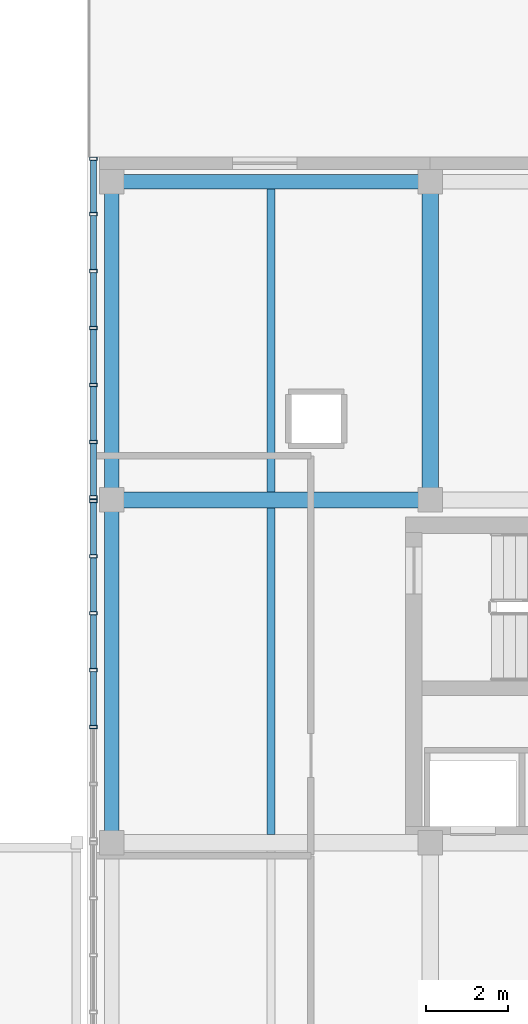
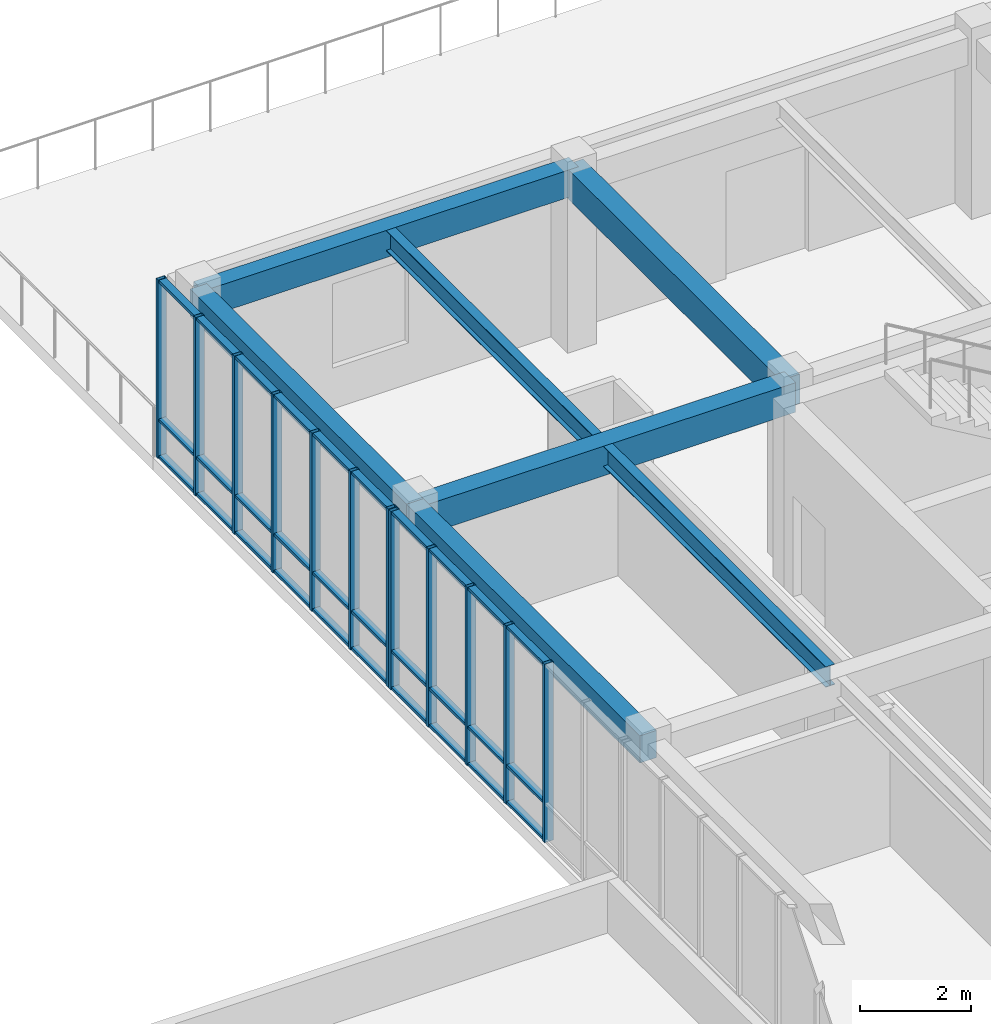
# One storey, part 60 of 123: 42 members, 7 beams, 2 elements without a shape of their own.
"""IFC4 building model written with IfcOpenShell, lengths in metres."""

from ifc_helpers import new_model, si_unit, direction, frame, origin, origin_2d, place, context, subcontext, project, spatial, rectangle, hollow_rectangle, i_section, extrude, material, layer, layer_set, material_profile, profile_set, type_object, element, aggregate, save


model = new_model("IFC4")

# Units and contexts
model_context = context("Model", 3, precision=1e-05, world=origin(), true_north=direction((0.0, 1.0)))
body_context = subcontext(model_context, "Body", "Model", "MODEL_VIEW")
ifc_project = project(units=[si_unit("LENGTHUNIT", "METRE"), si_unit("AREAUNIT", "SQUARE_METRE"), si_unit("VOLUMEUNIT", "CUBIC_METRE"), si_unit("PLANEANGLEUNIT", "RADIAN"), si_unit("MASSUNIT", "GRAM", prefix="KILO")], contexts=[model_context])

# Site, building, storey
site_placement = place(None, origin())
site = spatial("IfcSite", under=ifc_project, at=site_placement, CompositionType="ELEMENT")
building_placement = place(site_placement, origin())
building = spatial("IfcBuilding", under=site, at=building_placement, Name="Zayran Congress Hotel", CompositionType="ELEMENT")
storey_placement = place(building_placement, frame((0.0, 0.0, 15.0)))
storey = spatial("IfcBuildingStorey", under=building, at=storey_placement, Name="L03", CompositionType="ELEMENT", Elevation=15.0)

# Beams
ifc_material_1 = material(Name="Concrete C40/50", Category="concrete")
ifc_material_profile_1 = material_profile(ifc_material_1, rectangle(XDim=0.39990234375, YDim=0.64990234375, at=origin_2d()), Name="RC 400x650")
ifc_profile_set_1 = profile_set([ifc_material_profile_1], Name="Concrete C40/50")
beam_type_1 = type_object("IfcBeamType", Name="TP-BM-03", PredefinedType="BEAM", material=ifc_profile_set_1)
for number, where, z_axis, x_axis, name in (
    (1, (109.800048828125, 92.800048828125, 3.594970703125), (1.0, 0.0, 0.0), (0.0, 1.0, 0.0), "BM-V4-L03-1509"),
    (2, (117.60009765625, 92.800048828125, 3.594970703125), (0.0, 1.0, 0.0), (-1.0, 0.0, 0.0), "BM-V4-L03-1526"),
):
    element("IfcBeam", number, at=place(storey_placement, frame(where, z_axis=z_axis, x_axis=x_axis)), inside=storey, type_object=beam_type_1, Name=name, PredefinedType="BEAM", context=body_context, shape_type="SweptSolid", body=[
        extrude(rectangle(XDim=0.39990234375, YDim=0.64990234375, at=origin_2d()), origin(), (0.0, 0.0, 1.0), 7.800048828125),
    ])
ifc_material_profile_2 = material_profile(ifc_material_1, rectangle(XDim=0.35009765625, YDim=0.60009765625, at=origin_2d()), Name="RC 350x600")
ifc_profile_set_2 = profile_set([ifc_material_profile_2], Name="Concrete C40/50")
beam_type_2 = type_object("IfcBeamType", Name="TP-SP-01", PredefinedType="SPANDREL", material=ifc_profile_set_2)
beam_1_placement = place(storey_placement, frame((109.800048828125, 100.60009765625, 3.6201171875), z_axis=(1.0, 0.0, 0.0), x_axis=(0.0, 1.0, 0.0)))
element("IfcBeam", 3, at=beam_1_placement, inside=storey, type_object=beam_type_2, Name="BM-V4-L03-1512", PredefinedType="SPANDREL", context=body_context, shape_type="SweptSolid", body=[
    extrude(rectangle(XDim=0.35009765625, YDim=0.60009765625, at=origin_2d()), origin(), (0.0, 0.0, 1.0), 7.800048828125),
])
beam_2_placement = place(storey_placement, frame((109.800048828125, 84.39990234375, 3.6201171875), z_axis=(0.0, 1.0, 0.0), x_axis=(-1.0, 0.0, 0.0)))
element("IfcBeam", 4, at=beam_2_placement, inside=storey, type_object=beam_type_2, Name="BM-V4-L03-1520", PredefinedType="SPANDREL", context=body_context, shape_type="SweptSolid", body=[
    extrude(rectangle(XDim=0.35009765625, YDim=0.60009765625, at=origin_2d()), origin(), (0.0, 0.0, 1.0), 8.400146484375),
])
beam_3_placement = place(storey_placement, frame((109.800048828125, 92.800048828125, 3.6201171875), z_axis=(0.0, 1.0, 0.0), x_axis=(-1.0, 0.0, 0.0)))
element("IfcBeam", 5, at=beam_3_placement, inside=storey, type_object=beam_type_2, Name="BM-V4-L03-1521", PredefinedType="SPANDREL", context=body_context, shape_type="SweptSolid", body=[
    extrude(rectangle(XDim=0.35009765625, YDim=0.60009765625, at=origin_2d()), origin(), (0.0, 0.0, 1.0), 7.800048828125),
])
ifc_material_2 = material(Name="Steel S355", Category="steel")
ifc_material_profile_3 = material_profile(ifc_material_2, i_section(OverallWidth=0.18994140625, OverallDepth=0.449951171875, WebThickness=0.009521484375, FlangeThickness=0.0146484375, at=origin_2d()), Name="IPE 450")
ifc_profile_set_3 = profile_set([ifc_material_profile_3], Name="Steel S355")
beam_type_3 = type_object("IfcBeamType", Name="TP-JS-02", PredefinedType="JOIST", material=ifc_profile_set_3)
beam_4_placement = place(storey_placement, frame((113.699951171875, 84.60009765625, 3.695068359375), z_axis=(0.0, 1.0, 0.0), x_axis=(-1.0, 0.0, 0.0)))
element("IfcBeam", 6, at=beam_4_placement, inside=storey, type_object=beam_type_3, Name="JST-V4-L03-1546", PredefinedType="JOIST", context=body_context, shape_type="SweptSolid", body=[
    extrude(i_section(OverallWidth=0.18994140625, OverallDepth=0.449951171875, WebThickness=0.009521484375, FlangeThickness=0.0146484375, at=origin_2d()), origin(), (0.0, 0.0, 1.0), 8.0),
])
beam_5_placement = place(storey_placement, frame((113.699951171875, 93.0, 3.695068359375), z_axis=(0.0, 1.0, 0.0), x_axis=(-1.0, 0.0, 0.0)))
element("IfcBeam", 7, at=beam_5_placement, inside=storey, type_object=beam_type_3, Name="JST-V4-L03-1547", PredefinedType="JOIST", context=body_context, shape_type="SweptSolid", body=[
    extrude(i_section(OverallWidth=0.18994140625, OverallDepth=0.449951171875, WebThickness=0.009521484375, FlangeThickness=0.0146484375, at=origin_2d()), origin(), (0.0, 0.0, 1.0), 7.425048828125),
])

# Curtain wall, members
ifc_material_3 = material(Name="Anodised aluminium and low-E insulated glass", Category="aluminium")
ifc_layer_1 = layer(ifc_material_3, 0.179931640625)
ifc_layer_set_1 = layer_set([ifc_layer_1], Name="Anodised aluminium and low-E insulated glass")
curtain_wall_type_1 = type_object("IfcCurtainWallType", Name="CW-V4W-L03-CW-53-8368-3920", PredefinedType="USERDEFINED", material=ifc_layer_set_1)
curtain_wall_1_placement = place(storey_placement, origin())
curtain_wall_1 = element("IfcCurtainWall", 8, at=curtain_wall_1_placement, inside=storey, type_object=curtain_wall_type_1, Name="CW-V4W-L03-5", ObjectType="CURTAIN WALL", PredefinedType="USERDEFINED")
ifc_material_4 = material(Name="Anodised aluminium framing", Category="aluminium")
ifc_material_profile_4 = material_profile(ifc_material_4, hollow_rectangle(XDim=0.080078125, YDim=0.179931640625, WallThickness=0.0048828125, at=origin_2d()), Name="RHS 180x80x5")
ifc_profile_set_4 = profile_set([ifc_material_profile_4], Name="Anodised aluminium framing")
member_type_1 = type_object("IfcMemberType", Name="TP-CWM-01", PredefinedType="MULLION", material=ifc_profile_set_4)
member_1_placement = place(storey_placement, frame((109.35009765625, 92.77587890625, 0.0), z_axis=(0.0, 0.0, 1.0), x_axis=(0.0, 1.0, 0.0)))
member_1 = element("IfcMember", 9, at=member_1_placement, type_object=member_type_1, Name="CW-V4W-L03-5-M00", PredefinedType="MULLION", context=body_context, shape_type="SweptSolid", body=[
    extrude(hollow_rectangle(XDim=0.080078125, YDim=0.179931640625, WallThickness=0.0048828125, at=origin_2d()), origin(), (0.0, 0.0, 1.0), 3.919921875),
])
member_2_placement = place(storey_placement, frame((109.35009765625, 91.42138671875, 0.0), z_axis=(0.0, 0.0, 1.0), x_axis=(0.0, 1.0, 0.0)))
member_2 = element("IfcMember", 10, at=member_2_placement, type_object=member_type_1, Name="CW-V4W-L03-5-M01", PredefinedType="MULLION", context=body_context, shape_type="SweptSolid", body=[
    extrude(hollow_rectangle(XDim=0.080078125, YDim=0.179931640625, WallThickness=0.0048828125, at=origin_2d()), origin(), (0.0, 0.0, 1.0), 3.919921875),
])
member_3_placement = place(storey_placement, frame((109.35009765625, 90.026611328125, 0.0), z_axis=(0.0, 0.0, 1.0), x_axis=(0.0, 1.0, 0.0)))
member_3 = element("IfcMember", 11, at=member_3_placement, type_object=member_type_1, Name="CW-V4W-L03-5-M02", PredefinedType="MULLION", context=body_context, shape_type="SweptSolid", body=[
    extrude(hollow_rectangle(XDim=0.080078125, YDim=0.179931640625, WallThickness=0.0048828125, at=origin_2d()), origin(), (0.0, 0.0, 1.0), 3.919921875),
])
member_4_placement = place(storey_placement, frame((109.35009765625, 88.632080078125, 0.0), z_axis=(0.0, 0.0, 1.0), x_axis=(0.0, 1.0, 0.0)))
member_4 = element("IfcMember", 12, at=member_4_placement, type_object=member_type_1, Name="CW-V4W-L03-5-M03", PredefinedType="MULLION", context=body_context, shape_type="SweptSolid", body=[
    extrude(hollow_rectangle(XDim=0.080078125, YDim=0.179931640625, WallThickness=0.0048828125, at=origin_2d()), origin(), (0.0, 0.0, 1.0), 3.919921875),
])
member_5_placement = place(storey_placement, frame((109.35009765625, 87.2373046875, 0.0), z_axis=(0.0, 0.0, 1.0), x_axis=(0.0, 1.0, 0.0)))
member_5 = element("IfcMember", 13, at=member_5_placement, type_object=member_type_1, Name="CW-V4W-L03-5-M04", PredefinedType="MULLION", context=body_context, shape_type="SweptSolid", body=[
    extrude(hollow_rectangle(XDim=0.080078125, YDim=0.179931640625, WallThickness=0.0048828125, at=origin_2d()), origin(), (0.0, 0.0, 1.0), 3.919921875),
])

ifc_layer_2 = layer(ifc_material_3, 0.179931640625)
ifc_layer_set_2 = layer_set([ifc_layer_2], Name="Anodised aluminium and low-E insulated glass")
curtain_wall_type_2 = type_object("IfcCurtainWallType", Name="CW-V4W-L03-CW-51-8374-3920", PredefinedType="USERDEFINED", material=ifc_layer_set_2)
curtain_wall_2_placement = place(storey_placement, origin())
curtain_wall_2 = element("IfcCurtainWall", 14, at=curtain_wall_2_placement, inside=storey, type_object=curtain_wall_type_2, Name="CW-V4W-L03-6", ObjectType="CURTAIN WALL", PredefinedType="USERDEFINED")
member_6_placement = place(storey_placement, frame((109.35009765625, 101.159912109375, 0.0), z_axis=(0.0, 0.0, 1.0), x_axis=(0.0, 1.0, 0.0)))
member_6 = element("IfcMember", 15, at=member_6_placement, type_object=member_type_1, Name="CW-V4W-L03-6-M00", PredefinedType="MULLION", context=body_context, shape_type="SweptSolid", body=[
    extrude(hollow_rectangle(XDim=0.080078125, YDim=0.179931640625, WallThickness=0.0048828125, at=origin_2d()), origin(), (0.0, 0.0, 1.0), 3.919921875),
])
member_7_placement = place(storey_placement, frame((109.35009765625, 99.80419921875, 0.0), z_axis=(0.0, 0.0, 1.0), x_axis=(0.0, 1.0, 0.0)))
member_7 = element("IfcMember", 16, at=member_7_placement, type_object=member_type_1, Name="CW-V4W-L03-6-M01", PredefinedType="MULLION", context=body_context, shape_type="SweptSolid", body=[
    extrude(hollow_rectangle(XDim=0.080078125, YDim=0.179931640625, WallThickness=0.0048828125, at=origin_2d()), origin(), (0.0, 0.0, 1.0), 3.919921875),
])
member_8_placement = place(storey_placement, frame((109.35009765625, 98.40869140625, 0.0), z_axis=(0.0, 0.0, 1.0), x_axis=(0.0, 1.0, 0.0)))
member_8 = element("IfcMember", 17, at=member_8_placement, type_object=member_type_1, Name="CW-V4W-L03-6-M02", PredefinedType="MULLION", context=body_context, shape_type="SweptSolid", body=[
    extrude(hollow_rectangle(XDim=0.080078125, YDim=0.179931640625, WallThickness=0.0048828125, at=origin_2d()), origin(), (0.0, 0.0, 1.0), 3.919921875),
])
member_9_placement = place(storey_placement, frame((109.35009765625, 97.012939453125, 0.0), z_axis=(0.0, 0.0, 1.0), x_axis=(0.0, 1.0, 0.0)))
member_9 = element("IfcMember", 18, at=member_9_placement, type_object=member_type_1, Name="CW-V4W-L03-6-M03", PredefinedType="MULLION", context=body_context, shape_type="SweptSolid", body=[
    extrude(hollow_rectangle(XDim=0.080078125, YDim=0.179931640625, WallThickness=0.0048828125, at=origin_2d()), origin(), (0.0, 0.0, 1.0), 3.919921875),
])
member_10_placement = place(storey_placement, frame((109.35009765625, 95.6171875, 0.0), z_axis=(0.0, 0.0, 1.0), x_axis=(0.0, 1.0, 0.0)))
member_10 = element("IfcMember", 19, at=member_10_placement, type_object=member_type_1, Name="CW-V4W-L03-6-M04", PredefinedType="MULLION", context=body_context, shape_type="SweptSolid", body=[
    extrude(hollow_rectangle(XDim=0.080078125, YDim=0.179931640625, WallThickness=0.0048828125, at=origin_2d()), origin(), (0.0, 0.0, 1.0), 3.919921875),
])
member_11_placement = place(storey_placement, frame((109.35009765625, 94.2216796875, 0.0), z_axis=(0.0, 0.0, 1.0), x_axis=(0.0, 1.0, 0.0)))
member_11 = element("IfcMember", 20, at=member_11_placement, type_object=member_type_1, Name="CW-V4W-L03-6-M05", PredefinedType="MULLION", context=body_context, shape_type="SweptSolid", body=[
    extrude(hollow_rectangle(XDim=0.080078125, YDim=0.179931640625, WallThickness=0.0048828125, at=origin_2d()), origin(), (0.0, 0.0, 1.0), 3.919921875),
])
member_12_placement = place(storey_placement, frame((109.35009765625, 92.865966796875, 0.0), z_axis=(0.0, 0.0, 1.0), x_axis=(0.0, 1.0, 0.0)))
member_12 = element("IfcMember", 21, at=member_12_placement, type_object=member_type_1, Name="CW-V4W-L03-6-M06", PredefinedType="MULLION", context=body_context, shape_type="SweptSolid", body=[
    extrude(hollow_rectangle(XDim=0.080078125, YDim=0.179931640625, WallThickness=0.0048828125, at=origin_2d()), origin(), (0.0, 0.0, 1.0), 3.919921875),
])

# Member
ifc_material_profile_5 = material_profile(ifc_material_4, hollow_rectangle(XDim=0.06005859375, YDim=0.14990234375, WallThickness=0.00390625, at=origin_2d()), Name="RHS 150x60x4")
ifc_profile_set_5 = profile_set([ifc_material_profile_5], Name="Anodised aluminium framing")
member_type_2 = type_object("IfcMemberType", Name="TP-CWT-01", PredefinedType="USERDEFINED", material=ifc_profile_set_5)
member_13_placement = place(storey_placement, frame((109.35009765625, 92.736083984375, 0.030029296875), z_axis=(0.0, -1.0, 0.0), x_axis=(0.0, 0.0, 1.0)))
member_13 = element("IfcMember", 22, at=member_13_placement, type_object=member_type_2, Name="CW-V4W-L03-5-T00-0", ObjectType="TRANSOM", PredefinedType="USERDEFINED", context=body_context, shape_type="SweptSolid", body=[
    extrude(hollow_rectangle(XDim=0.06005859375, YDim=0.14990234375, WallThickness=0.00390625, at=origin_2d()), origin(), (0.0, 0.0, 1.0), 1.27490234375),
])

member_14_placement = place(storey_placement, frame((109.35009765625, 92.736083984375, 0.840087890625), z_axis=(0.0, -1.0, 0.0), x_axis=(0.0, 0.0, 1.0)))
member_14 = element("IfcMember", 23, at=member_14_placement, type_object=member_type_2, Name="CW-V4W-L03-5-T00-1", ObjectType="TRANSOM", PredefinedType="USERDEFINED", context=body_context, shape_type="SweptSolid", body=[
    extrude(hollow_rectangle(XDim=0.06005859375, YDim=0.14990234375, WallThickness=0.00390625, at=origin_2d()), origin(), (0.0, 0.0, 1.0), 1.27490234375),
])

member_15_placement = place(storey_placement, frame((109.35009765625, 92.736083984375, 3.889892578125), z_axis=(0.0, -1.0, 0.0), x_axis=(0.0, 0.0, 1.0)))
member_15 = element("IfcMember", 24, at=member_15_placement, type_object=member_type_2, Name="CW-V4W-L03-5-T00-2", ObjectType="TRANSOM", PredefinedType="USERDEFINED", context=body_context, shape_type="SweptSolid", body=[
    extrude(hollow_rectangle(XDim=0.06005859375, YDim=0.14990234375, WallThickness=0.00390625, at=origin_2d()), origin(), (0.0, 0.0, 1.0), 1.27490234375),
])

member_16_placement = place(storey_placement, frame((109.35009765625, 91.38134765625, 0.030029296875), z_axis=(0.0, -1.0, 0.0), x_axis=(0.0, 0.0, 1.0)))
member_16 = element("IfcMember", 25, at=member_16_placement, type_object=member_type_2, Name="CW-V4W-L03-5-T01-0", ObjectType="TRANSOM", PredefinedType="USERDEFINED", context=body_context, shape_type="SweptSolid", body=[
    extrude(hollow_rectangle(XDim=0.06005859375, YDim=0.14990234375, WallThickness=0.00390625, at=origin_2d()), origin(), (0.0, 0.0, 1.0), 1.314697265625),
])

member_17_placement = place(storey_placement, frame((109.35009765625, 91.38134765625, 0.840087890625), z_axis=(0.0, -1.0, 0.0), x_axis=(0.0, 0.0, 1.0)))
member_17 = element("IfcMember", 26, at=member_17_placement, type_object=member_type_2, Name="CW-V4W-L03-5-T01-1", ObjectType="TRANSOM", PredefinedType="USERDEFINED", context=body_context, shape_type="SweptSolid", body=[
    extrude(hollow_rectangle(XDim=0.06005859375, YDim=0.14990234375, WallThickness=0.00390625, at=origin_2d()), origin(), (0.0, 0.0, 1.0), 1.314697265625),
])

member_18_placement = place(storey_placement, frame((109.35009765625, 91.38134765625, 3.889892578125), z_axis=(0.0, -1.0, 0.0), x_axis=(0.0, 0.0, 1.0)))
member_18 = element("IfcMember", 27, at=member_18_placement, type_object=member_type_2, Name="CW-V4W-L03-5-T01-2", ObjectType="TRANSOM", PredefinedType="USERDEFINED", context=body_context, shape_type="SweptSolid", body=[
    extrude(hollow_rectangle(XDim=0.06005859375, YDim=0.14990234375, WallThickness=0.00390625, at=origin_2d()), origin(), (0.0, 0.0, 1.0), 1.314697265625),
])

member_19_placement = place(storey_placement, frame((109.35009765625, 89.98681640625, 0.030029296875), z_axis=(0.0, -1.0, 0.0), x_axis=(0.0, 0.0, 1.0)))
member_19 = element("IfcMember", 28, at=member_19_placement, type_object=member_type_2, Name="CW-V4W-L03-5-T02-0", ObjectType="TRANSOM", PredefinedType="USERDEFINED", context=body_context, shape_type="SweptSolid", body=[
    extrude(hollow_rectangle(XDim=0.06005859375, YDim=0.14990234375, WallThickness=0.00390625, at=origin_2d()), origin(), (0.0, 0.0, 1.0), 1.314697265625),
])

member_20_placement = place(storey_placement, frame((109.35009765625, 89.98681640625, 0.840087890625), z_axis=(0.0, -1.0, 0.0), x_axis=(0.0, 0.0, 1.0)))
member_20 = element("IfcMember", 29, at=member_20_placement, type_object=member_type_2, Name="CW-V4W-L03-5-T02-1", ObjectType="TRANSOM", PredefinedType="USERDEFINED", context=body_context, shape_type="SweptSolid", body=[
    extrude(hollow_rectangle(XDim=0.06005859375, YDim=0.14990234375, WallThickness=0.00390625, at=origin_2d()), origin(), (0.0, 0.0, 1.0), 1.314697265625),
])

member_21_placement = place(storey_placement, frame((109.35009765625, 89.98681640625, 3.889892578125), z_axis=(0.0, -1.0, 0.0), x_axis=(0.0, 0.0, 1.0)))
member_21 = element("IfcMember", 30, at=member_21_placement, type_object=member_type_2, Name="CW-V4W-L03-5-T02-2", ObjectType="TRANSOM", PredefinedType="USERDEFINED", context=body_context, shape_type="SweptSolid", body=[
    extrude(hollow_rectangle(XDim=0.06005859375, YDim=0.14990234375, WallThickness=0.00390625, at=origin_2d()), origin(), (0.0, 0.0, 1.0), 1.314697265625),
])

member_22_placement = place(storey_placement, frame((109.35009765625, 88.592041015625, 0.030029296875), z_axis=(0.0, -1.0, 0.0), x_axis=(0.0, 0.0, 1.0)))
member_22 = element("IfcMember", 31, at=member_22_placement, type_object=member_type_2, Name="CW-V4W-L03-5-T03-0", ObjectType="TRANSOM", PredefinedType="USERDEFINED", context=body_context, shape_type="SweptSolid", body=[
    extrude(hollow_rectangle(XDim=0.06005859375, YDim=0.14990234375, WallThickness=0.00390625, at=origin_2d()), origin(), (0.0, 0.0, 1.0), 1.314697265625),
])

member_23_placement = place(storey_placement, frame((109.35009765625, 88.592041015625, 0.840087890625), z_axis=(0.0, -1.0, 0.0), x_axis=(0.0, 0.0, 1.0)))
member_23 = element("IfcMember", 32, at=member_23_placement, type_object=member_type_2, Name="CW-V4W-L03-5-T03-1", ObjectType="TRANSOM", PredefinedType="USERDEFINED", context=body_context, shape_type="SweptSolid", body=[
    extrude(hollow_rectangle(XDim=0.06005859375, YDim=0.14990234375, WallThickness=0.00390625, at=origin_2d()), origin(), (0.0, 0.0, 1.0), 1.314697265625),
])

member_24_placement = place(storey_placement, frame((109.35009765625, 88.592041015625, 3.889892578125), z_axis=(0.0, -1.0, 0.0), x_axis=(0.0, 0.0, 1.0)))
member_24 = element("IfcMember", 33, at=member_24_placement, type_object=member_type_2, Name="CW-V4W-L03-5-T03-2", ObjectType="TRANSOM", PredefinedType="USERDEFINED", context=body_context, shape_type="SweptSolid", body=[
    extrude(hollow_rectangle(XDim=0.06005859375, YDim=0.14990234375, WallThickness=0.00390625, at=origin_2d()), origin(), (0.0, 0.0, 1.0), 1.314697265625),
])

aggregate(curtain_wall_1, [member_1, member_2, member_3, member_4, member_5, member_13, member_14, member_15, member_16, member_17, member_18, member_19, member_20, member_21, member_22, member_23, member_24])

member_25_placement = place(storey_placement, frame((109.35009765625, 101.1201171875, 0.030029296875), z_axis=(0.0, -1.0, 0.0), x_axis=(0.0, 0.0, 1.0)))
member_25 = element("IfcMember", 34, at=member_25_placement, type_object=member_type_2, Name="CW-V4W-L03-6-T00-0", ObjectType="TRANSOM", PredefinedType="USERDEFINED", context=body_context, shape_type="SweptSolid", body=[
    extrude(hollow_rectangle(XDim=0.06005859375, YDim=0.14990234375, WallThickness=0.00390625, at=origin_2d()), origin(), (0.0, 0.0, 1.0), 1.27587890625),
])

member_26_placement = place(storey_placement, frame((109.35009765625, 101.1201171875, 0.840087890625), z_axis=(0.0, -1.0, 0.0), x_axis=(0.0, 0.0, 1.0)))
member_26 = element("IfcMember", 35, at=member_26_placement, type_object=member_type_2, Name="CW-V4W-L03-6-T00-1", ObjectType="TRANSOM", PredefinedType="USERDEFINED", context=body_context, shape_type="SweptSolid", body=[
    extrude(hollow_rectangle(XDim=0.06005859375, YDim=0.14990234375, WallThickness=0.00390625, at=origin_2d()), origin(), (0.0, 0.0, 1.0), 1.27587890625),
])

member_27_placement = place(storey_placement, frame((109.35009765625, 101.1201171875, 3.889892578125), z_axis=(0.0, -1.0, 0.0), x_axis=(0.0, 0.0, 1.0)))
member_27 = element("IfcMember", 36, at=member_27_placement, type_object=member_type_2, Name="CW-V4W-L03-6-T00-2", ObjectType="TRANSOM", PredefinedType="USERDEFINED", context=body_context, shape_type="SweptSolid", body=[
    extrude(hollow_rectangle(XDim=0.06005859375, YDim=0.14990234375, WallThickness=0.00390625, at=origin_2d()), origin(), (0.0, 0.0, 1.0), 1.27587890625),
])

member_28_placement = place(storey_placement, frame((109.35009765625, 99.764404296875, 0.030029296875), z_axis=(0.0, -1.0, 0.0), x_axis=(0.0, 0.0, 1.0)))
member_28 = element("IfcMember", 37, at=member_28_placement, type_object=member_type_2, Name="CW-V4W-L03-6-T01-0", ObjectType="TRANSOM", PredefinedType="USERDEFINED", context=body_context, shape_type="SweptSolid", body=[
    extrude(hollow_rectangle(XDim=0.06005859375, YDim=0.14990234375, WallThickness=0.00390625, at=origin_2d()), origin(), (0.0, 0.0, 1.0), 1.315673828125),
])

member_29_placement = place(storey_placement, frame((109.35009765625, 99.764404296875, 0.840087890625), z_axis=(0.0, -1.0, 0.0), x_axis=(0.0, 0.0, 1.0)))
member_29 = element("IfcMember", 38, at=member_29_placement, type_object=member_type_2, Name="CW-V4W-L03-6-T01-1", ObjectType="TRANSOM", PredefinedType="USERDEFINED", context=body_context, shape_type="SweptSolid", body=[
    extrude(hollow_rectangle(XDim=0.06005859375, YDim=0.14990234375, WallThickness=0.00390625, at=origin_2d()), origin(), (0.0, 0.0, 1.0), 1.315673828125),
])

member_30_placement = place(storey_placement, frame((109.35009765625, 99.764404296875, 3.889892578125), z_axis=(0.0, -1.0, 0.0), x_axis=(0.0, 0.0, 1.0)))
member_30 = element("IfcMember", 39, at=member_30_placement, type_object=member_type_2, Name="CW-V4W-L03-6-T01-2", ObjectType="TRANSOM", PredefinedType="USERDEFINED", context=body_context, shape_type="SweptSolid", body=[
    extrude(hollow_rectangle(XDim=0.06005859375, YDim=0.14990234375, WallThickness=0.00390625, at=origin_2d()), origin(), (0.0, 0.0, 1.0), 1.315673828125),
])

member_31_placement = place(storey_placement, frame((109.35009765625, 98.36865234375, 0.030029296875), z_axis=(0.0, -1.0, 0.0), x_axis=(0.0, 0.0, 1.0)))
member_31 = element("IfcMember", 40, at=member_31_placement, type_object=member_type_2, Name="CW-V4W-L03-6-T02-0", ObjectType="TRANSOM", PredefinedType="USERDEFINED", context=body_context, shape_type="SweptSolid", body=[
    extrude(hollow_rectangle(XDim=0.06005859375, YDim=0.14990234375, WallThickness=0.00390625, at=origin_2d()), origin(), (0.0, 0.0, 1.0), 1.315673828125),
])

member_32_placement = place(storey_placement, frame((109.35009765625, 98.36865234375, 0.840087890625), z_axis=(0.0, -1.0, 0.0), x_axis=(0.0, 0.0, 1.0)))
member_32 = element("IfcMember", 41, at=member_32_placement, type_object=member_type_2, Name="CW-V4W-L03-6-T02-1", ObjectType="TRANSOM", PredefinedType="USERDEFINED", context=body_context, shape_type="SweptSolid", body=[
    extrude(hollow_rectangle(XDim=0.06005859375, YDim=0.14990234375, WallThickness=0.00390625, at=origin_2d()), origin(), (0.0, 0.0, 1.0), 1.315673828125),
])

member_33_placement = place(storey_placement, frame((109.35009765625, 98.36865234375, 3.889892578125), z_axis=(0.0, -1.0, 0.0), x_axis=(0.0, 0.0, 1.0)))
member_33 = element("IfcMember", 42, at=member_33_placement, type_object=member_type_2, Name="CW-V4W-L03-6-T02-2", ObjectType="TRANSOM", PredefinedType="USERDEFINED", context=body_context, shape_type="SweptSolid", body=[
    extrude(hollow_rectangle(XDim=0.06005859375, YDim=0.14990234375, WallThickness=0.00390625, at=origin_2d()), origin(), (0.0, 0.0, 1.0), 1.315673828125),
])

member_34_placement = place(storey_placement, frame((109.35009765625, 96.972900390625, 0.030029296875), z_axis=(0.0, -1.0, 0.0), x_axis=(0.0, 0.0, 1.0)))
member_34 = element("IfcMember", 43, at=member_34_placement, type_object=member_type_2, Name="CW-V4W-L03-6-T03-0", ObjectType="TRANSOM", PredefinedType="USERDEFINED", context=body_context, shape_type="SweptSolid", body=[
    extrude(hollow_rectangle(XDim=0.06005859375, YDim=0.14990234375, WallThickness=0.00390625, at=origin_2d()), origin(), (0.0, 0.0, 1.0), 1.315673828125),
])

member_35_placement = place(storey_placement, frame((109.35009765625, 96.972900390625, 0.840087890625), z_axis=(0.0, -1.0, 0.0), x_axis=(0.0, 0.0, 1.0)))
member_35 = element("IfcMember", 44, at=member_35_placement, type_object=member_type_2, Name="CW-V4W-L03-6-T03-1", ObjectType="TRANSOM", PredefinedType="USERDEFINED", context=body_context, shape_type="SweptSolid", body=[
    extrude(hollow_rectangle(XDim=0.06005859375, YDim=0.14990234375, WallThickness=0.00390625, at=origin_2d()), origin(), (0.0, 0.0, 1.0), 1.315673828125),
])

member_36_placement = place(storey_placement, frame((109.35009765625, 96.972900390625, 3.889892578125), z_axis=(0.0, -1.0, 0.0), x_axis=(0.0, 0.0, 1.0)))
member_36 = element("IfcMember", 45, at=member_36_placement, type_object=member_type_2, Name="CW-V4W-L03-6-T03-2", ObjectType="TRANSOM", PredefinedType="USERDEFINED", context=body_context, shape_type="SweptSolid", body=[
    extrude(hollow_rectangle(XDim=0.06005859375, YDim=0.14990234375, WallThickness=0.00390625, at=origin_2d()), origin(), (0.0, 0.0, 1.0), 1.315673828125),
])

member_37_placement = place(storey_placement, frame((109.35009765625, 95.577392578125, 0.030029296875), z_axis=(0.0, -1.0, 0.0), x_axis=(0.0, 0.0, 1.0)))
member_37 = element("IfcMember", 46, at=member_37_placement, type_object=member_type_2, Name="CW-V4W-L03-6-T04-0", ObjectType="TRANSOM", PredefinedType="USERDEFINED", context=body_context, shape_type="SweptSolid", body=[
    extrude(hollow_rectangle(XDim=0.06005859375, YDim=0.14990234375, WallThickness=0.00390625, at=origin_2d()), origin(), (0.0, 0.0, 1.0), 1.315673828125),
])

member_38_placement = place(storey_placement, frame((109.35009765625, 95.577392578125, 0.840087890625), z_axis=(0.0, -1.0, 0.0), x_axis=(0.0, 0.0, 1.0)))
member_38 = element("IfcMember", 47, at=member_38_placement, type_object=member_type_2, Name="CW-V4W-L03-6-T04-1", ObjectType="TRANSOM", PredefinedType="USERDEFINED", context=body_context, shape_type="SweptSolid", body=[
    extrude(hollow_rectangle(XDim=0.06005859375, YDim=0.14990234375, WallThickness=0.00390625, at=origin_2d()), origin(), (0.0, 0.0, 1.0), 1.315673828125),
])

member_39_placement = place(storey_placement, frame((109.35009765625, 95.577392578125, 3.889892578125), z_axis=(0.0, -1.0, 0.0), x_axis=(0.0, 0.0, 1.0)))
member_39 = element("IfcMember", 48, at=member_39_placement, type_object=member_type_2, Name="CW-V4W-L03-6-T04-2", ObjectType="TRANSOM", PredefinedType="USERDEFINED", context=body_context, shape_type="SweptSolid", body=[
    extrude(hollow_rectangle(XDim=0.06005859375, YDim=0.14990234375, WallThickness=0.00390625, at=origin_2d()), origin(), (0.0, 0.0, 1.0), 1.315673828125),
])

member_40_placement = place(storey_placement, frame((109.35009765625, 94.181640625, 0.030029296875), z_axis=(0.0, -1.0, 0.0), x_axis=(0.0, 0.0, 1.0)))
member_40 = element("IfcMember", 49, at=member_40_placement, type_object=member_type_2, Name="CW-V4W-L03-6-T05-0", ObjectType="TRANSOM", PredefinedType="USERDEFINED", context=body_context, shape_type="SweptSolid", body=[
    extrude(hollow_rectangle(XDim=0.06005859375, YDim=0.14990234375, WallThickness=0.00390625, at=origin_2d()), origin(), (0.0, 0.0, 1.0), 1.275634765625),
])

member_41_placement = place(storey_placement, frame((109.35009765625, 94.181640625, 0.840087890625), z_axis=(0.0, -1.0, 0.0), x_axis=(0.0, 0.0, 1.0)))
member_41 = element("IfcMember", 50, at=member_41_placement, type_object=member_type_2, Name="CW-V4W-L03-6-T05-1", ObjectType="TRANSOM", PredefinedType="USERDEFINED", context=body_context, shape_type="SweptSolid", body=[
    extrude(hollow_rectangle(XDim=0.06005859375, YDim=0.14990234375, WallThickness=0.00390625, at=origin_2d()), origin(), (0.0, 0.0, 1.0), 1.275634765625),
])

member_42_placement = place(storey_placement, frame((109.35009765625, 94.181640625, 3.889892578125), z_axis=(0.0, -1.0, 0.0), x_axis=(0.0, 0.0, 1.0)))
member_42 = element("IfcMember", 51, at=member_42_placement, type_object=member_type_2, Name="CW-V4W-L03-6-T05-2", ObjectType="TRANSOM", PredefinedType="USERDEFINED", context=body_context, shape_type="SweptSolid", body=[
    extrude(hollow_rectangle(XDim=0.06005859375, YDim=0.14990234375, WallThickness=0.00390625, at=origin_2d()), origin(), (0.0, 0.0, 1.0), 1.275634765625),
])

aggregate(curtain_wall_2, [member_6, member_7, member_8, member_9, member_10, member_11, member_12, member_25, member_26, member_27, member_28, member_29, member_30, member_31, member_32, member_33, member_34, member_35, member_36, member_37, member_38, member_39, member_40, member_41, member_42])

save(model, "model.ifc")
